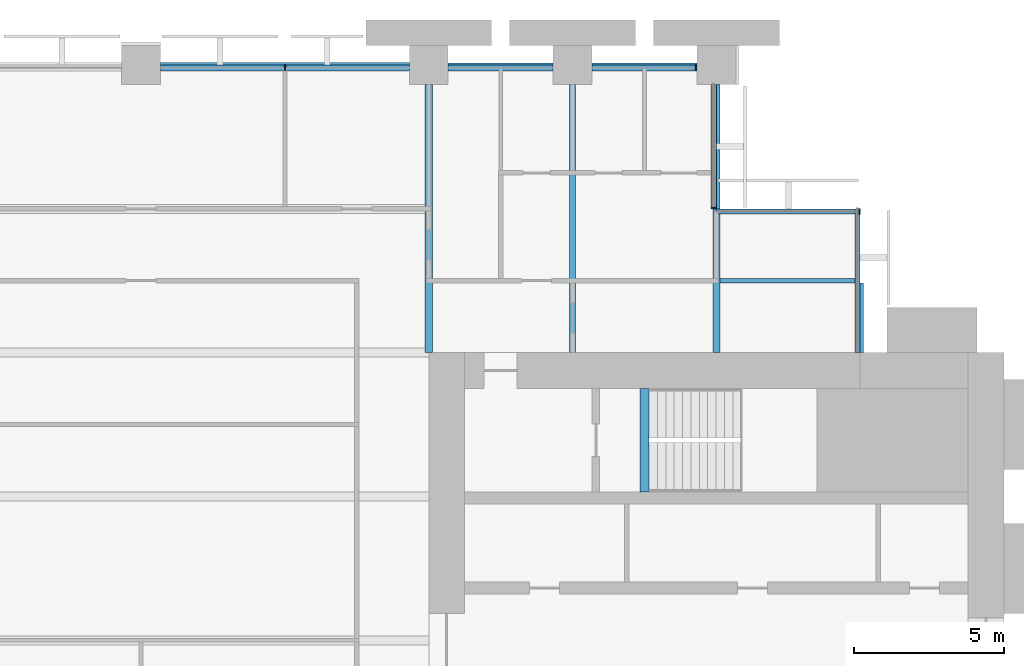
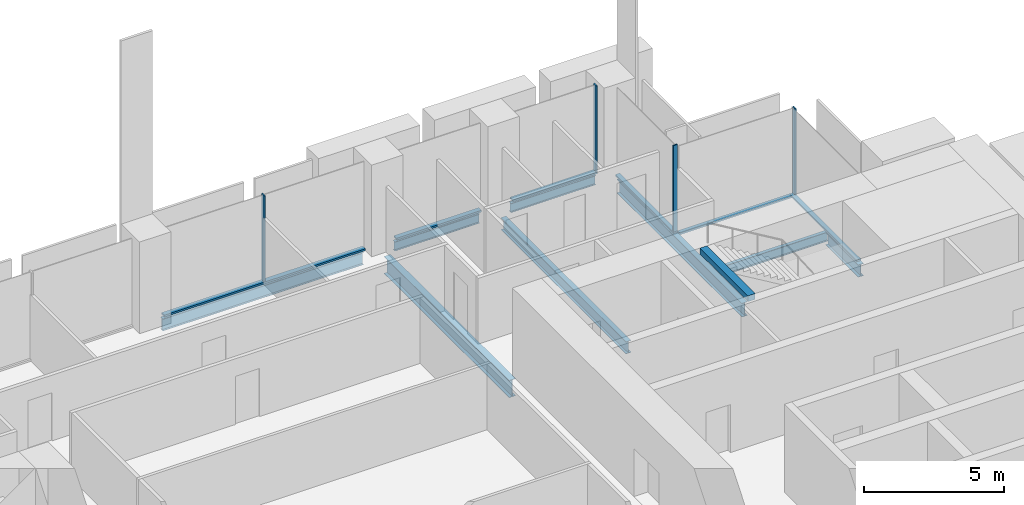
# One storey, part 7 of 14: 10 members, 9 beams, 4 elements without a shape of their own.
"""IFC4 building model written with IfcOpenShell, lengths in metres."""

from ifc_helpers import new_model, si_unit, direction, frame, origin, origin_2d, place, context, subcontext, project, spatial, rectangle, i_section, extrude, material, material_profile, profile_set, type_object, element, aggregate, save


model = new_model("IFC4")

# Units and contexts
model_context = context("Model", 3, precision=1e-05, world=origin(), true_north=direction((0.0, 1.0)))
body_context = subcontext(model_context, "Body", "Model", "MODEL_VIEW")
ifc_project = project(units=[si_unit("LENGTHUNIT", "METRE"), si_unit("AREAUNIT", "SQUARE_METRE"), si_unit("VOLUMEUNIT", "CUBIC_METRE"), si_unit("PLANEANGLEUNIT", "RADIAN"), si_unit("MASSUNIT", "GRAM", prefix="KILO")], contexts=[model_context])

# Site, building, storey
site_placement = place(None, origin())
site = spatial("IfcSite", under=ifc_project, at=site_placement, CompositionType="ELEMENT")
building_placement = place(site_placement, origin())
building = spatial("IfcBuilding", under=site, at=building_placement, Name="Baori Bourse Tower", CompositionType="ELEMENT")
storey_placement = place(building_placement, frame((0.0, 0.0, 75.0)))
storey = spatial("IfcBuildingStorey", under=building, at=storey_placement, Name="L16", CompositionType="ELEMENT", Elevation=75.0)

# Curtain wall, members
ifc_material_1 = material(Name="Pale anodised aluminium", Category="aluminium")
curtain_wall_type_1 = type_object("IfcCurtainWallType", Name="CW1 Curtain wall", PredefinedType="NOTDEFINED", material=ifc_material_1)
curtain_wall_1_placement = place(storey_placement, origin())
curtain_wall_1 = element("IfcCurtainWall", 1, at=curtain_wall_1_placement, inside=storey, type_object=curtain_wall_type_1, Name="Curtain wall CW1 L16 4", PredefinedType="NOTDEFINED")
ifc_material_2 = material(Name="Pale anodised aluminium", Category="aluminium")
ifc_material_profile_1 = material_profile(ifc_material_2, rectangle(XDim=0.199951171875, YDim=0.06005859375, at=origin_2d()), Name="Mullion 60x200")
ifc_profile_set_1 = profile_set([ifc_material_profile_1], Name="Pale anodised aluminium")
member_type_1 = type_object("IfcMemberType", Name="CW1 Curtain wall mullion", PredefinedType="MULLION", material=ifc_profile_set_1)
member_1_placement = place(storey_placement, frame((47.320068359375, 47.89990234375, 0.080078125), z_axis=(0.0, 0.0, 1.0), x_axis=(0.0, -1.0, 0.0)))
member_1 = element("IfcMember", 2, at=member_1_placement, type_object=member_type_1, Name="Curtain wall CW1 mullion", PredefinedType="MULLION", context=body_context, shape_type="SweptSolid", body=[
    extrude(rectangle(XDim=0.199951171875, YDim=0.06005859375, at=origin_2d()), origin(), (0.0, 0.0, 1.0), 3.760009765625),
])
member_2_placement = place(storey_placement, frame((33.60009765625, 47.89990234375, 0.080078125), z_axis=(0.0, 0.0, 1.0), x_axis=(0.0, -1.0, 0.0)))
member_2 = element("IfcMember", 3, at=member_2_placement, type_object=member_type_1, Name="Curtain wall CW1 mullion", PredefinedType="MULLION", context=body_context, shape_type="SweptSolid", body=[
    extrude(rectangle(XDim=0.199951171875, YDim=0.06005859375, at=origin_2d()), origin(), (0.0, 0.0, 1.0), 3.760009765625),
])
ifc_material_3 = material(Name="Pale anodised aluminium", Category="aluminium")
ifc_material_profile_2 = material_profile(ifc_material_3, rectangle(XDim=0.199951171875, YDim=0.080078125, at=origin_2d()), Name="Transom 80x200")
ifc_profile_set_2 = profile_set([ifc_material_profile_2], Name="Pale anodised aluminium")
member_type_2 = type_object("IfcMemberType", Name="CW1 Curtain wall transom", PredefinedType="USERDEFINED", material=ifc_profile_set_2)
member_3_placement = place(storey_placement, frame((47.35009765625, 47.89990234375, 0.0400390625), z_axis=(-1.0, 0.0, 0.0), x_axis=(0.0, -1.0, 0.0)))
member_3 = element("IfcMember", 4, at=member_3_placement, type_object=member_type_2, Name="Curtain wall CW1 sill rail", ObjectType="TRANSOM", PredefinedType="USERDEFINED", context=body_context, shape_type="SweptSolid", body=[
    extrude(rectangle(XDim=0.199951171875, YDim=0.080078125, at=origin_2d()), origin(), (0.0, 0.0, 1.0), 3.5),
])
member_4_placement = place(storey_placement, frame((42.550048828125, 47.89990234375, 0.0400390625), z_axis=(-1.0, 0.0, 0.0), x_axis=(0.0, -1.0, 0.0)))
member_4 = element("IfcMember", 5, at=member_4_placement, type_object=member_type_2, Name="Curtain wall CW1 sill rail", ObjectType="TRANSOM", PredefinedType="USERDEFINED", context=body_context, shape_type="SweptSolid", body=[
    extrude(rectangle(XDim=0.199951171875, YDim=0.080078125, at=origin_2d()), origin(), (0.0, 0.0, 1.0), 3.5),
])
member_5_placement = place(storey_placement, frame((37.75, 47.89990234375, 0.0400390625), z_axis=(-1.0, 0.0, 0.0), x_axis=(0.0, -1.0, 0.0)))
member_5 = element("IfcMember", 6, at=member_5_placement, type_object=member_type_2, Name="Curtain wall CW1 sill rail", ObjectType="TRANSOM", PredefinedType="USERDEFINED", context=body_context, shape_type="SweptSolid", body=[
    extrude(rectangle(XDim=0.199951171875, YDim=0.080078125, at=origin_2d()), origin(), (0.0, 0.0, 1.0), 8.300048828125),
])
aggregate(curtain_wall_1, [member_3, member_1, member_4, member_5, member_2])

# Curtain wall, member
ifc_material_4 = material(Name="Pale anodised aluminium", Category="aluminium")
curtain_wall_type_2 = type_object("IfcCurtainWallType", Name="CW2 Curtain wall", PredefinedType="NOTDEFINED", material=ifc_material_4)
curtain_wall_2_placement = place(storey_placement, origin())
curtain_wall_2 = element("IfcCurtainWall", 7, at=curtain_wall_2_placement, inside=storey, type_object=curtain_wall_type_2, Name="Curtain wall CW2 L16 2", PredefinedType="NOTDEFINED")
ifc_material_5 = material(Name="Pale anodised aluminium", Category="aluminium")
ifc_material_profile_3 = material_profile(ifc_material_5, rectangle(XDim=0.179931640625, YDim=0.054931640625, at=origin_2d()), Name="Mullion 55x180")
ifc_profile_set_3 = profile_set([ifc_material_profile_3], Name="Pale anodised aluminium")
member_type_3 = type_object("IfcMemberType", Name="CW2 Curtain wall mullion", PredefinedType="MULLION", material=ifc_profile_set_3)
member_6_placement = place(storey_placement, frame((52.7724609375, 43.110107421875, 0.070068359375), z_axis=(0.0, 0.0, 1.0), x_axis=(0.0, -1.0, 0.0)))
member_6 = element("IfcMember", 8, at=member_6_placement, type_object=member_type_3, Name="Curtain wall CW2 mullion", PredefinedType="MULLION", context=body_context, shape_type="SweptSolid", body=[
    extrude(rectangle(XDim=0.179931640625, YDim=0.054931640625, at=origin_2d()), origin(), (0.0, 0.0, 1.0), 3.77001953125),
])

curtain_wall_3_placement = place(storey_placement, origin())
curtain_wall_3 = element("IfcCurtainWall", 9, at=curtain_wall_3_placement, inside=storey, type_object=curtain_wall_type_2, Name="Curtain wall CW2 L16 3", PredefinedType="NOTDEFINED")
member_7_placement = place(storey_placement, frame((47.909912109375, 43.2275390625, 0.070068359375), z_axis=(0.0, 0.0, 1.0), x_axis=(-1.0, 0.0, 0.0)))
member_7 = element("IfcMember", 10, at=member_7_placement, type_object=member_type_3, Name="Curtain wall CW2 mullion", PredefinedType="MULLION", context=body_context, shape_type="SweptSolid", body=[
    extrude(rectangle(XDim=0.179931640625, YDim=0.054931640625, at=origin_2d()), origin(), (0.0, 0.0, 1.0), 3.77001953125),
])

curtain_wall_4_placement = place(storey_placement, origin())
curtain_wall_4 = element("IfcCurtainWall", 11, at=curtain_wall_4_placement, inside=storey, type_object=curtain_wall_type_2, Name="Curtain wall CW2 L16 1", PredefinedType="NOTDEFINED")
ifc_material_6 = material(Name="Pale anodised aluminium", Category="aluminium")
ifc_material_profile_4 = material_profile(ifc_material_6, rectangle(XDim=0.179931640625, YDim=0.070068359375, at=origin_2d()), Name="Transom 70x180")
ifc_profile_set_4 = profile_set([ifc_material_profile_4], Name="Pale anodised aluminium")
member_type_4 = type_object("IfcMemberType", Name="CW2 Curtain wall transom", PredefinedType="USERDEFINED", material=ifc_profile_set_4)
member_8_placement = place(storey_placement, frame((52.7099609375, 38.39990234375, 0.034912109375), z_axis=(0.0, 1.0, 0.0), x_axis=(-1.0, 0.0, 0.0)))
member_8 = element("IfcMember", 12, at=member_8_placement, type_object=member_type_4, Name="Curtain wall CW2 sill rail", ObjectType="TRANSOM", PredefinedType="USERDEFINED", context=body_context, shape_type="SweptSolid", body=[
    extrude(rectangle(XDim=0.179931640625, YDim=0.070068359375, at=origin_2d()), origin(), (0.0, 0.0, 1.0), 4.800048828125),
])
aggregate(curtain_wall_4, [member_8])

# Member
member_9_placement = place(storey_placement, frame((52.800048828125, 43.110107421875, 0.034912109375), z_axis=(-1.0, 0.0, 0.0), x_axis=(0.0, -1.0, 0.0)))
member_9 = element("IfcMember", 13, at=member_9_placement, type_object=member_type_4, Name="Curtain wall CW2 sill rail", ObjectType="TRANSOM", PredefinedType="USERDEFINED", context=body_context, shape_type="SweptSolid", body=[
    extrude(rectangle(XDim=0.179931640625, YDim=0.070068359375, at=origin_2d()), origin(), (0.0, 0.0, 1.0), 4.800048828125),
])

aggregate(curtain_wall_2, [member_9, member_6])

member_10_placement = place(storey_placement, frame((47.909912109375, 43.199951171875, 0.034912109375), z_axis=(0.0, 1.0, 0.0), x_axis=(-1.0, 0.0, 0.0)))
member_10 = element("IfcMember", 14, at=member_10_placement, type_object=member_type_4, Name="Curtain wall CW2 sill rail", ObjectType="TRANSOM", PredefinedType="USERDEFINED", context=body_context, shape_type="SweptSolid", body=[
    extrude(rectangle(XDim=0.179931640625, YDim=0.070068359375, at=origin_2d()), origin(), (0.0, 0.0, 1.0), 4.150146484375),
])

aggregate(curtain_wall_3, [member_10, member_7])

# Beams
ifc_material_7 = material(Name="Steel A992 Gr 50", Category="steel")
ifc_material_profile_5 = material_profile(ifc_material_7, i_section(OverallWidth=0.21240234375, OverallDepth=0.54345703125, WebThickness=0.01318359375, FlangeThickness=0.021240234375, at=origin_2d()), Name="W21x83")
ifc_profile_set_5 = profile_set([ifc_material_profile_5], Name="Steel A992 Gr 50")
beam_type_1 = type_object("IfcBeamType", Name="Core bracket W21x83", PredefinedType="BEAM", material=ifc_profile_set_5)
beam_1_placement = place(storey_placement, frame((52.800048828125, 38.39990234375, -0.431884765625), z_axis=(0.0, 1.0, 0.0), x_axis=(-1.0, 0.0, 0.0)))
element("IfcBeam", 15, at=beam_1_placement, inside=storey, type_object=beam_type_1, Name="Core bracket L16", PredefinedType="BEAM", context=body_context, shape_type="SweptSolid", body=[
    extrude(i_section(OverallWidth=0.21240234375, OverallDepth=0.54345703125, WebThickness=0.01318359375, FlangeThickness=0.021240234375, at=origin_2d()), origin(), (0.0, 0.0, 1.0), 2.329833984375),
])
ifc_material_8 = material(Name="Steel A992 Gr 50", Category="steel")
ifc_material_profile_6 = material_profile(ifc_material_8, i_section(OverallWidth=0.140380859375, OverallDepth=0.40380859375, WebThickness=0.007080078125, FlangeThickness=0.01123046875, at=origin_2d()), Name="W16x31")
ifc_profile_set_6 = profile_set([ifc_material_profile_6], Name="Steel A992 Gr 50")
beam_type_2 = type_object("IfcBeamType", Name="Edge beam W16x31", PredefinedType="BEAM", material=ifc_profile_set_6)
for number, where, z_axis, x_axis, name in (
    (16, (39.050048828125, 48.0, -0.36181640625), (1.0, 0.0, 0.0), (0.0, 1.0, 0.0), "Edge beam L16"),
    (17, (43.85009765625, 48.0, -0.36181640625), (1.0, 0.0, 0.0), (0.0, 1.0, 0.0), "Edge beam L16"),
):
    element("IfcBeam", number, at=place(storey_placement, frame(where, z_axis=z_axis, x_axis=x_axis)), inside=storey, type_object=beam_type_2, Name=name, PredefinedType="BEAM", context=body_context, shape_type="SweptSolid", body=[
        extrude(i_section(OverallWidth=0.140380859375, OverallDepth=0.40380859375, WebThickness=0.007080078125, FlangeThickness=0.01123046875, at=origin_2d()), origin(), (0.0, 0.0, 1.0), 3.5),
    ])
ifc_material_9 = material(Name="Steel A992 Gr 50", Category="steel")
ifc_material_profile_7 = material_profile(ifc_material_9, i_section(OverallWidth=0.1650390625, OverallDepth=0.52587890625, WebThickness=0.0087890625, FlangeThickness=0.011474609375, at=origin_2d()), Name="W21x44")
ifc_profile_set_7 = profile_set([ifc_material_profile_7], Name="Steel A992 Gr 50")
beam_type_3 = type_object("IfcBeamType", Name="Edge beam W21x44", PredefinedType="BEAM", material=ifc_profile_set_7)
beam_2_placement = place(storey_placement, frame((29.449951171875, 48.0, -0.4228515625), z_axis=(1.0, 0.0, 0.0), x_axis=(0.0, 1.0, 0.0)))
element("IfcBeam", 18, at=beam_2_placement, inside=storey, type_object=beam_type_3, Name="Edge beam L16", PredefinedType="BEAM", context=body_context, shape_type="SweptSolid", body=[
    extrude(i_section(OverallWidth=0.1650390625, OverallDepth=0.52587890625, WebThickness=0.0087890625, FlangeThickness=0.011474609375, at=origin_2d()), origin(), (0.0, 0.0, 1.0), 8.300048828125),
])
ifc_material_10 = material(Name="Steel A992 Gr 50", Category="steel")
ifc_material_profile_8 = material_profile(ifc_material_10, i_section(OverallWidth=0.209228515625, OverallDepth=0.533447265625, WebThickness=0.01025390625, FlangeThickness=0.015625, at=origin_2d()), Name="W21x62")
ifc_profile_set_8 = profile_set([ifc_material_profile_8], Name="Steel A992 Gr 50")
beam_type_4 = type_object("IfcBeamType", Name="Floor beam W21x62", PredefinedType="BEAM", material=ifc_profile_set_8)
beam_3_placement = place(storey_placement, frame((43.199951171875, 38.39990234375, -0.4267578125), z_axis=(0.0, 1.0, 0.0), x_axis=(-1.0, 0.0, 0.0)))
element("IfcBeam", 19, at=beam_3_placement, inside=storey, type_object=beam_type_4, Name="Floor beam L16", PredefinedType="BEAM", context=body_context, shape_type="SweptSolid", body=[
    extrude(i_section(OverallWidth=0.209228515625, OverallDepth=0.533447265625, WebThickness=0.01025390625, FlangeThickness=0.015625, at=origin_2d()), origin(), (0.0, 0.0, 1.0), 8.9501953125),
])
ifc_material_11 = material(Name="Steel A992 Gr 50", Category="steel")
ifc_material_profile_9 = material_profile(ifc_material_11, i_section(OverallWidth=0.227783203125, OverallDepth=0.60205078125, WebThickness=0.010498046875, FlangeThickness=0.014892578125, at=origin_2d()), Name="W24x68")
ifc_profile_set_9 = profile_set([ifc_material_profile_9], Name="Steel A992 Gr 50")
beam_type_5 = type_object("IfcBeamType", Name="Floor beam W24x68", PredefinedType="BEAM", material=ifc_profile_set_9)
beam_4_placement = place(storey_placement, frame((48.0, 38.39990234375, -0.4609375), z_axis=(0.0, 1.0, 0.0), x_axis=(-1.0, 0.0, 0.0)))
element("IfcBeam", 20, at=beam_4_placement, inside=storey, type_object=beam_type_5, Name="Floor beam L16", PredefinedType="BEAM", context=body_context, shape_type="SweptSolid", body=[
    extrude(i_section(OverallWidth=0.227783203125, OverallDepth=0.60205078125, WebThickness=0.010498046875, FlangeThickness=0.014892578125, at=origin_2d()), origin(), (0.0, 0.0, 1.0), 8.9501953125),
])
ifc_material_12 = material(Name="Steel A992 Gr 50", Category="steel")
ifc_material_profile_10 = material_profile(ifc_material_12, i_section(OverallWidth=0.2666015625, OverallDepth=0.7568359375, WebThickness=0.013916015625, FlangeThickness=0.019287109375, at=origin_2d()), Name="W30x108")
ifc_profile_set_10 = profile_set([ifc_material_profile_10], Name="Steel A992 Gr 50")
beam_type_6 = type_object("IfcBeamType", Name="Girder W30x108", PredefinedType="BEAM", material=ifc_profile_set_10)
beam_5_placement = place(storey_placement, frame((38.39990234375, 38.39990234375, -0.53857421875), z_axis=(0.0, 1.0, 0.0), x_axis=(-1.0, 0.0, 0.0)))
element("IfcBeam", 21, at=beam_5_placement, inside=storey, type_object=beam_type_6, Name="Girder L16", PredefinedType="BEAM", context=body_context, shape_type="SweptSolid", body=[
    extrude(i_section(OverallWidth=0.2666015625, OverallDepth=0.7568359375, WebThickness=0.013916015625, FlangeThickness=0.019287109375, at=origin_2d()), origin(), (0.0, 0.0, 1.0), 8.9501953125),
])
ifc_material_13 = material(Name="Concrete f'c 50 MPa", Category="concrete")
ifc_material_profile_11 = material_profile(ifc_material_13, rectangle(XDim=0.300048828125, YDim=0.25, at=origin_2d()), Name="RC 300x250")
ifc_profile_set_11 = profile_set([ifc_material_profile_11], Name="Concrete f'c 50 MPa")
beam_type_7 = type_object("IfcBeamType", Name="Stair nib beam RC 300x250", PredefinedType="BEAM", material=ifc_profile_set_11)
beam_6_placement = place(storey_placement, frame((45.60009765625, 33.75, 3.715087890625), z_axis=(0.0, 1.0, 0.0), x_axis=(-1.0, 0.0, 0.0)))
element("IfcBeam", 22, at=beam_6_placement, inside=storey, type_object=beam_type_7, Name="Stair EB nib beam L17", PredefinedType="BEAM", context=body_context, shape_type="SweptSolid", body=[
    extrude(rectangle(XDim=0.300048828125, YDim=0.25, at=origin_2d()), origin(), (0.0, 0.0, 1.0), 3.449951171875),
])
ifc_material_14 = material(Name="Steel A992 Gr 50", Category="steel")
ifc_material_profile_12 = material_profile(ifc_material_14, i_section(OverallWidth=0.140380859375, OverallDepth=0.40380859375, WebThickness=0.007080078125, FlangeThickness=0.01123046875, at=origin_2d()), Name="W16x31")
ifc_profile_set_12 = profile_set([ifc_material_profile_12], Name="Steel A992 Gr 50")
beam_type_8 = type_object("IfcBeamType", Name="Trimmer beam W16x31", PredefinedType="BEAM", material=ifc_profile_set_12)
beam_7_placement = place(storey_placement, frame((48.114013671875, 40.800048828125, -0.36181640625), z_axis=(1.0, 0.0, 0.0), x_axis=(0.0, 1.0, 0.0)))
element("IfcBeam", 23, at=beam_7_placement, inside=storey, type_object=beam_type_8, Name="Trimmer beam L16", PredefinedType="BEAM", context=body_context, shape_type="SweptSolid", body=[
    extrude(i_section(OverallWidth=0.140380859375, OverallDepth=0.40380859375, WebThickness=0.007080078125, FlangeThickness=0.01123046875, at=origin_2d()), origin(), (0.0, 0.0, 1.0), 4.68603515625),
])

save(model, "model.ifc")
